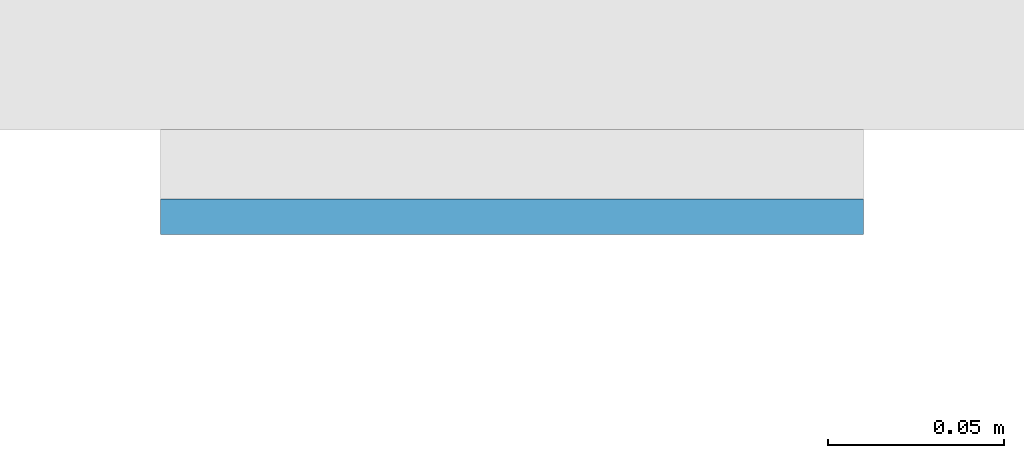
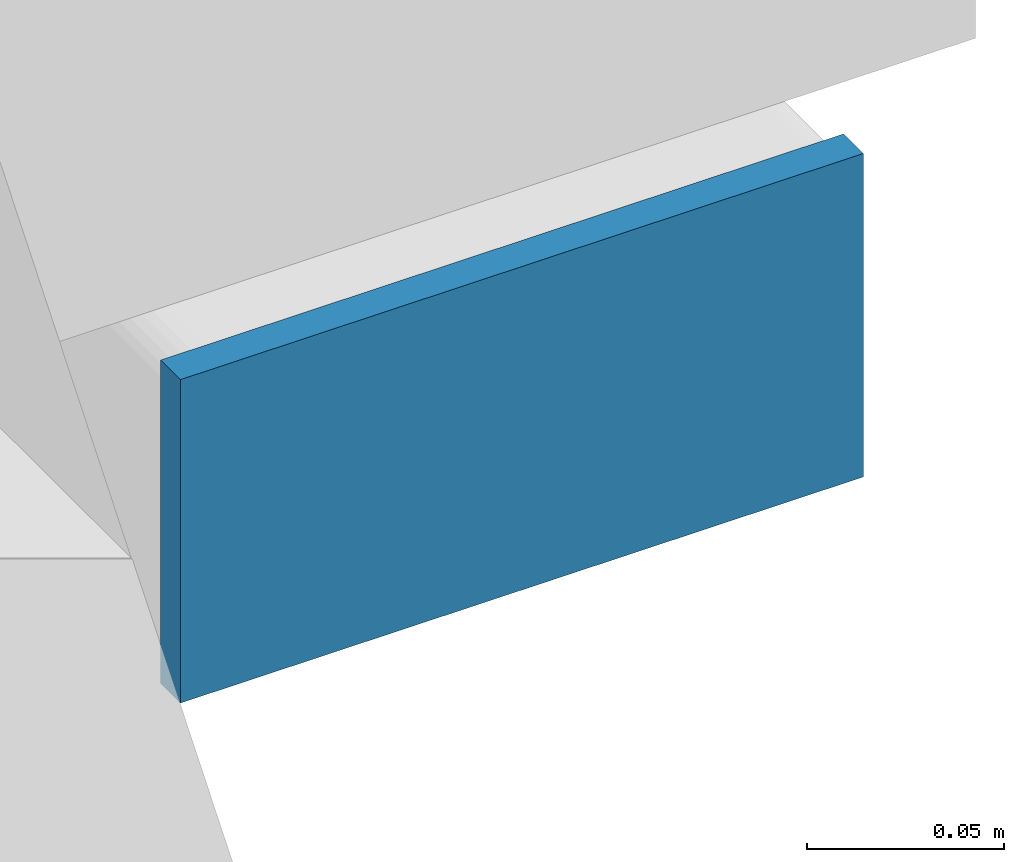
# One storey, part 5 of 12: 1 plate.
"""IFC4 building model written with IfcOpenShell, lengths in metres."""

from ifc_helpers import new_model, si_unit, direction, frame, origin, origin_2d, place, context, subcontext, project, spatial, rectangle, extrude, material, layer, layer_set, type_object, element, save


model = new_model("IFC4")

# Units and contexts
model_context = context("Model", 3, precision=1e-05, world=origin(), true_north=direction((0.0, 1.0)))
body_context = subcontext(model_context, "Body", "Model", "MODEL_VIEW")
ifc_project = project(units=[si_unit("LENGTHUNIT", "METRE"), si_unit("AREAUNIT", "SQUARE_METRE"), si_unit("VOLUMEUNIT", "CUBIC_METRE"), si_unit("PLANEANGLEUNIT", "RADIAN"), si_unit("MASSUNIT", "GRAM", prefix="KILO")], contexts=[model_context])

# Site, building, storey
site_placement = place(None, origin())
site = spatial("IfcSite", under=ifc_project, at=site_placement, CompositionType="ELEMENT")
building_placement = place(site_placement, origin())
building = spatial("IfcBuilding", under=site, at=building_placement, Name="Cleftline Residences", CompositionType="ELEMENT")
storey_placement = place(building_placement, frame((0.0, 0.0, 255.60009765625)))
storey = spatial("IfcBuildingStorey", under=building, at=storey_placement, Name="L67", CompositionType="ELEMENT", Elevation=255.60009765625)

# Plate
ifc_material = material(Name="Steel S355, hot-dip galvanised", Category="steel")
ifc_layer = layer(ifc_material, 0.010009765625)
ifc_layer_set = layer_set([ifc_layer], Name="BAGUETTE CARRIER END PLATE 200X100X10")
plate_type = type_object("IfcPlateType", Name="BAGUETTE CARRIER END PLATE 200X100X10", PredefinedType="USERDEFINED", material=ifc_layer_set)
plate_placement = place(storey_placement, frame((66.85009765625, 3.695068359375, -0.10009765625), z_axis=(0.0, 0.0, 1.0), x_axis=(1.0, 0.0, 0.0)))
element("IfcPlate", 1, at=plate_placement, inside=storey, type_object=plate_type, Name="Baguette carrier end plate", ObjectType="BAGUETTE CARRIER END PLATE", PredefinedType="USERDEFINED", context=body_context, shape_type="SweptSolid", body=[
    extrude(rectangle(XDim=0.199951171875, YDim=0.010009765625, at=origin_2d()), origin(), (0.0, 0.0, 1.0), 0.10009765625),
])

save(model, "model.ifc")
